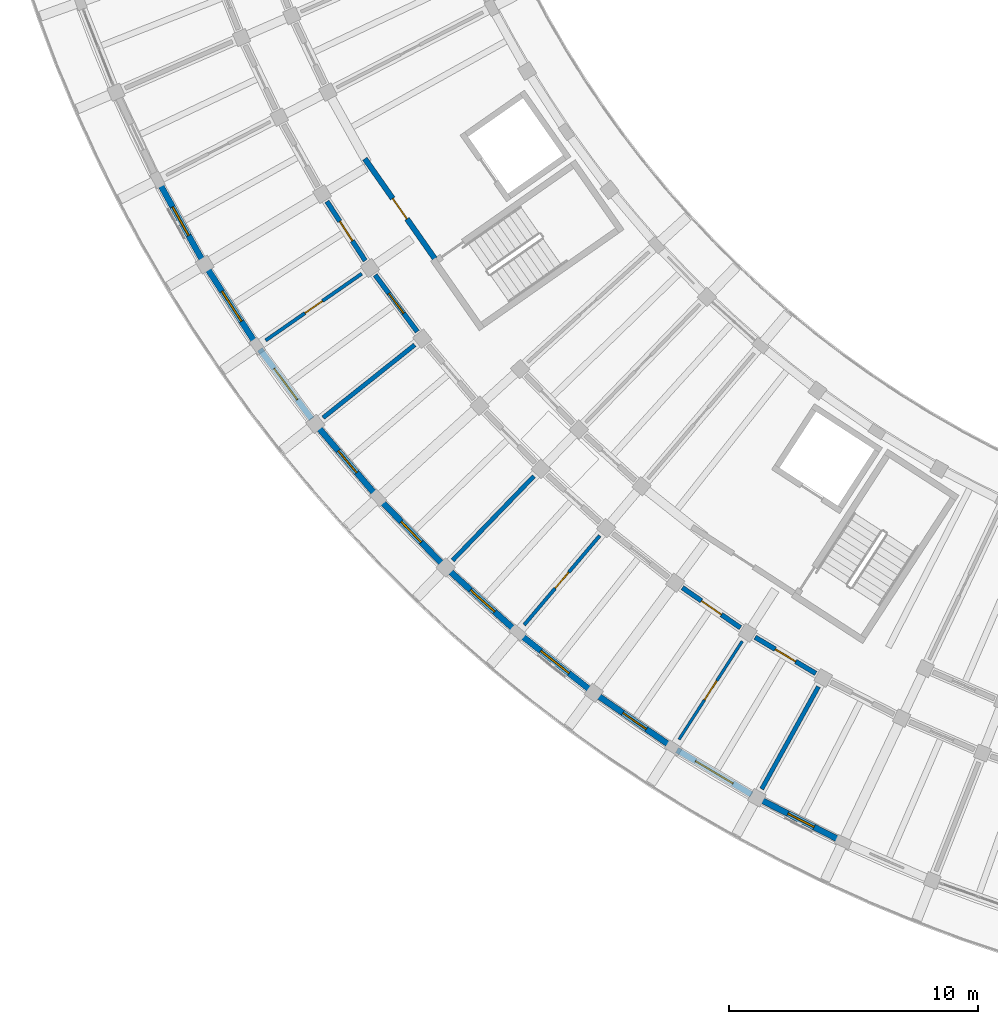
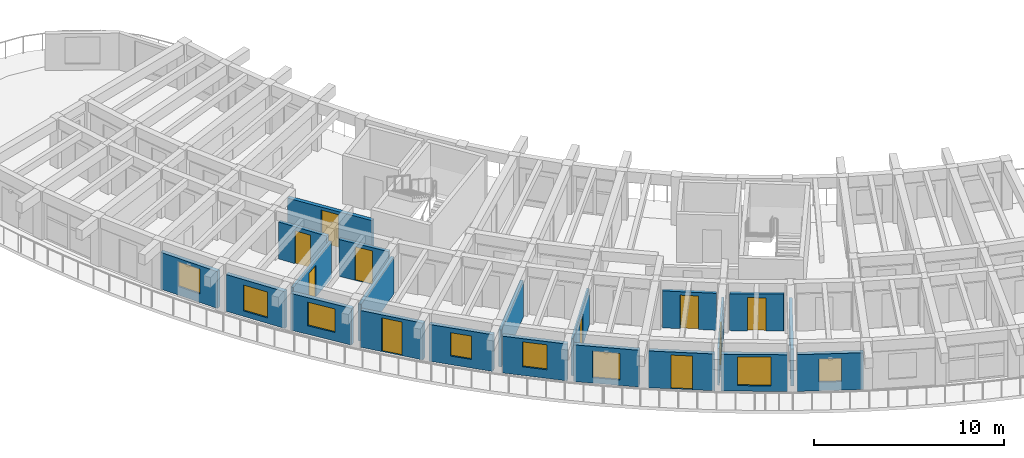
# One storey, part 40 of 81: 21 walls, 10 doors, 8 windows, 18 openings.
"""IFC4 building model written with IfcOpenShell, lengths in metres."""

from ifc_helpers import new_model, si_unit, direction, frame, frame_2d, origin, place, context, subcontext, project, spatial, rectangle, extrude, material, layer, layer_set, type_object, element, fill, save


model = new_model("IFC4")

# Units and contexts
model_context = context("Model", 3, precision=1e-05, world=origin(), true_north=direction((0.0, 1.0)))
body_context = subcontext(model_context, "Body", "Model", "MODEL_VIEW")
ifc_project = project(units=[si_unit("LENGTHUNIT", "METRE"), si_unit("AREAUNIT", "SQUARE_METRE"), si_unit("VOLUMEUNIT", "CUBIC_METRE"), si_unit("PLANEANGLEUNIT", "RADIAN"), si_unit("MASSUNIT", "GRAM", prefix="KILO")], contexts=[model_context])

# Site, building, storey
site_placement = place(None, origin())
site = spatial("IfcSite", under=ifc_project, at=site_placement, CompositionType="ELEMENT")
building_placement = place(site_placement, origin())
building = spatial("IfcBuilding", under=site, at=building_placement, Name="Tanwirah Colonnade Gardens", CompositionType="ELEMENT")
storey_placement = place(building_placement, frame((0.0, 0.0, 18.919921875)))
storey = spatial("IfcBuildingStorey", under=building, at=storey_placement, Name="L05", CompositionType="ELEMENT", Elevation=18.919921875)

# Wall, opening, window
ifc_material_1 = material(Name="Limestone architectural precast concrete C40/50", Category="masonry")
ifc_layer_1 = layer(ifc_material_1, 0.2451171875)
ifc_layer_set_1 = layer_set([ifc_layer_1], Name="Limestone architectural precast concrete C40/50")
wall_type_1 = type_object("IfcWallType", Name="EW-PC245", PredefinedType="SOLIDWALL", material=ifc_layer_set_1)
wall_1_placement = place(storey_placement, frame((12.136962890625, 37.09375, 0.0), z_axis=(0.0, 0.0, 1.0), x_axis=(0.486706738221, -0.87356542455, 0.0)))
wall_1 = element("IfcWall", 1, at=wall_1_placement, inside=storey, type_object=wall_type_1, Name="Block C L05 OUT Precast Facade Wall 3", PredefinedType="SOLIDWALL", context=body_context, shape_type="SweptSolid", body=[
    extrude(rectangle(XDim=3.48681640625, YDim=0.2451171875, at=frame_2d((1.743408203125, 0.0))), origin(), (0.0, 0.0, 1.0), 2.35498046875),
])
opening_1_placement = place(wall_1_placement, frame((1.08349609375, 0.0, 0.550048828125)))
opening_1 = element("IfcOpeningElement", 2, at=opening_1_placement, cuts=wall_1, Name="Opening WIN-U05", PredefinedType="OPENING", context=body_context, shape_type="SweptSolid", body=[
    extrude(rectangle(XDim=1.320068359375, YDim=1.5849609375, at=frame_2d((0.66015625, 0.79248046875))), frame((0.0, 0.132568359375, 0.0), z_axis=(0.0, -1.0, 0.0), x_axis=(1.0, 0.0, 0.0)), (0.0, 0.0, 1.0), 0.26513671875),
])
ifc_material_2 = material(Name="Thermally broken bronze aluminium and solar low-E double glazing", Category="aluminium")
window_type_1 = type_object("IfcWindowType", Name="WIN-U05", PartitioningType="DOUBLE_PANEL_VERTICAL", PredefinedType="WINDOW", material=ifc_material_2)
window_1_placement = place(opening_1_placement, origin())
window_1 = element("IfcWindow", 3, at=window_1_placement, inside=storey, type_object=window_type_1, Name="Facade window C-L05-OUT-03", OverallHeight=1.5849609375, OverallWidth=1.320068359375, PartitioningType="SINGLE_PANEL", PredefinedType="WINDOW", context=body_context, shape_type="SweptSolid", body=[
    extrude(rectangle(XDim=1.320068359375, YDim=1.5849609375, at=frame_2d((0.66015625, 0.79248046875))), frame((0.0, 0.030029296875, 0.0), z_axis=(0.0, -1.0, 0.0), x_axis=(1.0, 0.0, 0.0)), (0.0, 0.0, 1.0), 0.06005859375),
])
fill(opening_1, window_1)

wall_2_placement = place(storey_placement, frame((14.09130859375, 33.61962890625, 0.0), z_axis=(0.0, 0.0, 1.0), x_axis=(0.542833164741, -0.839840553472, 0.0)))
wall_2 = element("IfcWall", 4, at=wall_2_placement, inside=storey, type_object=wall_type_1, Name="Block C L05 OUT Precast Facade Wall 4", PredefinedType="SOLIDWALL", context=body_context, shape_type="SweptSolid", body=[
    extrude(rectangle(XDim=3.48681640625, YDim=0.2451171875, at=frame_2d((1.743408203125, 0.0))), origin(), (0.0, 0.0, 1.0), 2.35498046875),
])
opening_2_placement = place(wall_2_placement, frame((1.0234375, 0.0, 0.35009765625)))
opening_2 = element("IfcOpeningElement", 5, at=opening_2_placement, cuts=wall_2, Name="Opening WIN-U08", PredefinedType="OPENING", context=body_context, shape_type="SweptSolid", body=[
    extrude(rectangle(XDim=1.43994140625, YDim=1.659912109375, at=frame_2d((0.719970703125, 0.830078125))), frame((0.0, 0.132568359375, 0.0), z_axis=(0.0, -1.0, 0.0), x_axis=(1.0, 0.0, 0.0)), (0.0, 0.0, 1.0), 0.26513671875),
])
window_type_2 = type_object("IfcWindowType", Name="WIN-U08", PartitioningType="DOUBLE_PANEL_VERTICAL", PredefinedType="WINDOW", material=ifc_material_2)
window_2_placement = place(opening_2_placement, origin())
window_2 = element("IfcWindow", 6, at=window_2_placement, inside=storey, type_object=window_type_2, Name="Facade window C-L05-OUT-04", OverallHeight=1.659912109375, OverallWidth=1.43994140625, PartitioningType="SINGLE_PANEL", PredefinedType="WINDOW", context=body_context, shape_type="SweptSolid", body=[
    extrude(rectangle(XDim=1.43994140625, YDim=1.659912109375, at=frame_2d((0.719970703125, 0.830078125))), frame((0.0, 0.030029296875, 0.0), z_axis=(0.0, -1.0, 0.0), x_axis=(1.0, 0.0, 0.0)), (0.0, 0.0, 1.0), 0.06005859375),
])
fill(opening_2, window_2)

wall_3_placement = place(storey_placement, frame((16.166259765625, 30.42822265625, 0.0), z_axis=(0.0, 0.0, 1.0), x_axis=(0.596611432616, -0.802530247699, 0.0)))
wall_3 = element("IfcWall", 7, at=wall_3_placement, inside=storey, type_object=wall_type_1, Name="Block C L05 OUT Precast Facade Wall 5", PredefinedType="SOLIDWALL", context=body_context, shape_type="SweptSolid", body=[
    extrude(rectangle(XDim=3.48681640625, YDim=0.2451171875, at=frame_2d((1.743408203125, 0.0))), origin(), (0.0, 0.0, 1.0), 2.35498046875),
])
opening_3_placement = place(wall_3_placement, frame((0.96337890625, 0.0, 0.550048828125)))
opening_3 = element("IfcOpeningElement", 8, at=opening_3_placement, cuts=wall_3, Name="Opening WIN-U11", PredefinedType="OPENING", context=body_context, shape_type="SweptSolid", body=[
    extrude(rectangle(XDim=1.56005859375, YDim=1.510009765625, at=frame_2d((0.780029296875, 0.7548828125))), frame((0.0, 0.132568359375, 0.0), z_axis=(0.0, -1.0, 0.0), x_axis=(1.0, 0.0, 0.0)), (0.0, 0.0, 1.0), 0.26513671875),
])
window_type_3 = type_object("IfcWindowType", Name="WIN-U11", PartitioningType="DOUBLE_PANEL_VERTICAL", PredefinedType="WINDOW", material=ifc_material_2)
window_3_placement = place(opening_3_placement, origin())
window_3 = element("IfcWindow", 9, at=window_3_placement, inside=storey, type_object=window_type_3, Name="Facade window C-L05-OUT-05", OverallHeight=1.510009765625, OverallWidth=1.56005859375, PartitioningType="SINGLE_PANEL", PredefinedType="WINDOW", context=body_context, shape_type="SweptSolid", body=[
    extrude(rectangle(XDim=1.56005859375, YDim=1.510009765625, at=frame_2d((0.780029296875, 0.7548828125))), frame((0.0, 0.030029296875, 0.0), z_axis=(0.0, -1.0, 0.0), x_axis=(1.0, 0.0, 0.0)), (0.0, 0.0, 1.0), 0.06005859375),
])
fill(opening_3, window_3)

# Wall, opening, door
wall_4_placement = place(storey_placement, frame((18.5576171875, 27.23876953125, 0.0), z_axis=(0.0, 0.0, 1.0), x_axis=(0.647811002696, -0.761801092665, 0.0)))
wall_4 = element("IfcWall", 10, at=wall_4_placement, inside=storey, type_object=wall_type_1, Name="Block C L05 OUT Precast Facade Wall 6", PredefinedType="SOLIDWALL", context=body_context, shape_type="SweptSolid", body=[
    extrude(rectangle(XDim=3.48681640625, YDim=0.2451171875, at=frame_2d((1.743408203125, 0.0))), origin(), (0.0, 0.0, 1.0), 2.35498046875),
])
opening_4_placement = place(wall_4_placement, frame((1.17333984375, 0.0, 0.0)))
opening_4 = element("IfcOpeningElement", 11, at=opening_4_placement, cuts=wall_4, Name="Opening L05-ED151", PredefinedType="OPENING", context=body_context, shape_type="SweptSolid", body=[
    extrude(rectangle(XDim=1.139892578125, YDim=2.159912109375, at=frame_2d((0.56982421875, 1.080078125))), frame((0.0, 0.132568359375, 0.0), z_axis=(0.0, -1.0, 0.0), x_axis=(1.0, 0.0, 0.0)), (0.0, 0.0, 1.0), 0.26513671875),
])
ifc_material_3 = material(Name="Bronze aluminium glazed balcony door", Category="aluminium")
door_type_1 = type_object("IfcDoorType", Name="ED-BAL114", OperationType="NOTDEFINED", PredefinedType="DOOR", material=ifc_material_3)
door_1_placement = place(opening_4_placement, origin())
door_1 = element("IfcDoor", 12, at=door_1_placement, inside=storey, type_object=door_type_1, Name="Balcony glazed door L05-ED151", OperationType="SINGLE_SWING_RIGHT", OverallHeight=2.159912109375, OverallWidth=1.139892578125, PredefinedType="DOOR", context=body_context, shape_type="SweptSolid", body=[
    extrude(rectangle(XDim=1.139892578125, YDim=2.159912109375, at=frame_2d((0.56982421875, 1.080078125))), frame((0.0, 0.02490234375, 0.0), z_axis=(0.0, -1.0, 0.0), x_axis=(1.0, 0.0, 0.0)), (0.0, 0.0, 1.0), 0.050048828125),
])
fill(opening_4, door_1)

# Wall, opening, window
wall_5_placement = place(storey_placement, frame((21.031494140625, 24.345703125, 0.0), z_axis=(0.0, 0.0, 1.0), x_axis=(0.696205978342, -0.717842068788, 0.0)))
wall_5 = element("IfcWall", 13, at=wall_5_placement, inside=storey, type_object=wall_type_1, Name="Block C L05 OUT Precast Facade Wall 7", PredefinedType="SOLIDWALL", context=body_context, shape_type="SweptSolid", body=[
    extrude(rectangle(XDim=3.48681640625, YDim=0.2451171875, at=frame_2d((1.743408203125, 0.0))), origin(), (0.0, 0.0, 1.0), 2.35498046875),
])
opening_5_placement = place(wall_5_placement, frame((1.16845703125, 0.0, 0.550048828125)))
opening_5 = element("IfcOpeningElement", 14, at=opening_5_placement, cuts=wall_5, Name="Opening WIN-T01", PredefinedType="OPENING", context=body_context, shape_type="SweptSolid", body=[
    extrude(rectangle(XDim=1.14990234375, YDim=1.5, at=frame_2d((0.574951171875, 0.75))), frame((0.0, 0.132568359375, 0.0), z_axis=(0.0, -1.0, 0.0), x_axis=(1.0, 0.0, 0.0)), (0.0, 0.0, 1.0), 0.26513671875),
])
window_type_4 = type_object("IfcWindowType", Name="WIN-T01", PartitioningType="SINGLE_PANEL", PredefinedType="WINDOW", material=ifc_material_2)
window_4_placement = place(opening_5_placement, origin())
window_4 = element("IfcWindow", 15, at=window_4_placement, inside=storey, type_object=window_type_4, Name="Facade window C-L05-OUT-07", OverallHeight=1.5, OverallWidth=1.14990234375, PartitioningType="SINGLE_PANEL", PredefinedType="WINDOW", context=body_context, shape_type="SweptSolid", body=[
    extrude(rectangle(XDim=1.14990234375, YDim=1.5, at=frame_2d((0.574951171875, 0.75))), frame((0.0, 0.030029296875, 0.0), z_axis=(0.0, -1.0, 0.0), x_axis=(1.0, 0.0, 0.0)), (0.0, 0.0, 1.0), 0.06005859375),
])
fill(opening_5, window_4)

wall_6_placement = place(storey_placement, frame((23.818603515625, 21.49560546875, 0.0), z_axis=(0.0, 0.0, 1.0), x_axis=(0.741648568445, -0.670788641022, 0.0)))
wall_6 = element("IfcWall", 16, at=wall_6_placement, inside=storey, type_object=wall_type_1, Name="Block C L05 OUT Precast Facade Wall 8", PredefinedType="SOLIDWALL", context=body_context, shape_type="SweptSolid", body=[
    extrude(rectangle(XDim=3.48681640625, YDim=0.2451171875, at=frame_2d((1.743408203125, 0.0))), origin(), (0.0, 0.0, 1.0), 2.35498046875),
])
opening_6_placement = place(wall_6_placement, frame((1.093505859375, 0.0, 0.550048828125)))
opening_6 = element("IfcOpeningElement", 17, at=opening_6_placement, cuts=wall_6, Name="Opening WIN-T04", PredefinedType="OPENING", context=body_context, shape_type="SweptSolid", body=[
    extrude(rectangle(XDim=1.300048828125, YDim=1.60009765625, at=frame_2d((0.64990234375, 0.800048828125))), frame((0.0, 0.132568359375, 0.0), z_axis=(0.0, -1.0, 0.0), x_axis=(1.0, 0.0, 0.0)), (0.0, 0.0, 1.0), 0.26513671875),
])
window_type_5 = type_object("IfcWindowType", Name="WIN-T04", PartitioningType="DOUBLE_PANEL_VERTICAL", PredefinedType="WINDOW", material=ifc_material_2)
window_5_placement = place(opening_6_placement, origin())
window_5 = element("IfcWindow", 18, at=window_5_placement, inside=storey, type_object=window_type_5, Name="Facade window C-L05-OUT-08", OverallHeight=1.60009765625, OverallWidth=1.300048828125, PartitioningType="SINGLE_PANEL", PredefinedType="WINDOW", context=body_context, shape_type="SweptSolid", body=[
    extrude(rectangle(XDim=1.300048828125, YDim=1.60009765625, at=frame_2d((0.64990234375, 0.800048828125))), frame((0.0, 0.030029296875, 0.0), z_axis=(0.0, -1.0, 0.0), x_axis=(1.0, 0.0, 0.0)), (0.0, 0.0, 1.0), 0.06005859375),
])
fill(opening_6, window_5)

wall_7_placement = place(storey_placement, frame((26.648681640625, 18.9501953125, 0.0), z_axis=(0.0, 0.0, 1.0), x_axis=(0.78398760997, -0.620776471376, 0.0)))
wall_7 = element("IfcWall", 19, at=wall_7_placement, inside=storey, type_object=wall_type_1, Name="Block C L05 OUT Precast Facade Wall 9", PredefinedType="SOLIDWALL", context=body_context, shape_type="SweptSolid", body=[
    extrude(rectangle(XDim=3.48681640625, YDim=0.2451171875, at=frame_2d((1.743408203125, 0.0))), origin(), (0.0, 0.0, 1.0), 2.35498046875),
])
opening_7_placement = place(wall_7_placement, frame((1.018310546875, 0.0, 0.35009765625)))
opening_7 = element("IfcOpeningElement", 20, at=opening_7_placement, cuts=wall_7, Name="Opening WIN-T07", PredefinedType="OPENING", context=body_context, shape_type="SweptSolid", body=[
    extrude(rectangle(XDim=1.449951171875, YDim=1.699951171875, at=frame_2d((0.72509765625, 0.85009765625))), frame((0.0, 0.132568359375, 0.0), z_axis=(0.0, -1.0, 0.0), x_axis=(1.0, 0.0, 0.0)), (0.0, 0.0, 1.0), 0.26513671875),
])
window_type_6 = type_object("IfcWindowType", Name="WIN-T07", PartitioningType="DOUBLE_PANEL_VERTICAL", PredefinedType="WINDOW", material=ifc_material_2)
window_6_placement = place(opening_7_placement, origin())
window_6 = element("IfcWindow", 21, at=window_6_placement, inside=storey, type_object=window_type_6, Name="Facade window C-L05-OUT-09", OverallHeight=1.699951171875, OverallWidth=1.449951171875, PartitioningType="SINGLE_PANEL", PredefinedType="WINDOW", context=body_context, shape_type="SweptSolid", body=[
    extrude(rectangle(XDim=1.449951171875, YDim=1.699951171875, at=frame_2d((0.72509765625, 0.85009765625))), frame((0.0, 0.030029296875, 0.0), z_axis=(0.0, -1.0, 0.0), x_axis=(1.0, 0.0, 0.0)), (0.0, 0.0, 1.0), 0.06005859375),
])
fill(opening_7, window_6)

# Wall, opening, door
wall_8_placement = place(storey_placement, frame((29.783935546875, 16.48828125, 0.0), z_axis=(0.0, 0.0, 1.0), x_axis=(0.822902356734, -0.568182815017, 0.0)))
wall_8 = element("IfcWall", 22, at=wall_8_placement, inside=storey, type_object=wall_type_1, Name="Block C L05 OUT Precast Facade Wall 10", PredefinedType="SOLIDWALL", context=body_context, shape_type="SweptSolid", body=[
    extrude(rectangle(XDim=3.48681640625, YDim=0.2451171875, at=frame_2d((1.743408203125, 0.0))), origin(), (0.0, 0.0, 1.0), 2.35498046875),
])
opening_8_placement = place(wall_8_placement, frame((1.17333984375, 0.0, 0.0)))
opening_8 = element("IfcOpeningElement", 23, at=opening_8_placement, cuts=wall_8, Name="Opening L05-ED152", PredefinedType="OPENING", context=body_context, shape_type="SweptSolid", body=[
    extrude(rectangle(XDim=1.139892578125, YDim=2.159912109375, at=frame_2d((0.56982421875, 1.080078125))), frame((0.0, 0.132568359375, 0.0), z_axis=(0.0, -1.0, 0.0), x_axis=(1.0, 0.0, 0.0)), (0.0, 0.0, 1.0), 0.26513671875),
])
door_2_placement = place(opening_8_placement, origin())
door_2 = element("IfcDoor", 24, at=door_2_placement, inside=storey, type_object=door_type_1, Name="Balcony glazed door L05-ED152", OperationType="SINGLE_SWING_RIGHT", OverallHeight=2.159912109375, OverallWidth=1.139892578125, PredefinedType="DOOR", context=body_context, shape_type="SweptSolid", body=[
    extrude(rectangle(XDim=1.139892578125, YDim=2.159912109375, at=frame_2d((0.56982421875, 1.080078125))), frame((0.0, 0.02490234375, 0.0), z_axis=(0.0, -1.0, 0.0), x_axis=(1.0, 0.0, 0.0)), (0.0, 0.0, 1.0), 0.050048828125),
])
fill(opening_8, door_2)

# Wall, opening, window
wall_9_placement = place(storey_placement, frame((32.92236328125, 14.333984375, 0.0), z_axis=(0.0, 0.0, 1.0), x_axis=(0.858288874148, -0.513166842766, 0.0)))
wall_9 = element("IfcWall", 25, at=wall_9_placement, inside=storey, type_object=wall_type_1, Name="Block C L05 OUT Precast Facade Wall 11", PredefinedType="SOLIDWALL", context=body_context, shape_type="SweptSolid", body=[
    extrude(rectangle(XDim=3.48681640625, YDim=0.2451171875, at=frame_2d((1.743408203125, 0.0))), origin(), (0.0, 0.0, 1.0), 2.35498046875),
])
opening_9_placement = place(wall_9_placement, frame((0.868408203125, 0.0, 0.35009765625)))
opening_9 = element("IfcOpeningElement", 26, at=opening_9_placement, cuts=wall_9, Name="Opening WIN-T13", PredefinedType="OPENING", context=body_context, shape_type="SweptSolid", body=[
    extrude(rectangle(XDim=1.75, YDim=1.85009765625, at=frame_2d((0.875, 0.925048828125))), frame((0.0, 0.132568359375, 0.0), z_axis=(0.0, -1.0, 0.0), x_axis=(1.0, 0.0, 0.0)), (0.0, 0.0, 1.0), 0.26513671875),
])
window_type_7 = type_object("IfcWindowType", Name="WIN-T13", PartitioningType="TRIPLE_PANEL_VERTICAL", PredefinedType="WINDOW", material=ifc_material_2)
window_7_placement = place(opening_9_placement, origin())
window_7 = element("IfcWindow", 27, at=window_7_placement, inside=storey, type_object=window_type_7, Name="Facade window C-L05-OUT-11", OverallHeight=1.85009765625, OverallWidth=1.75, PartitioningType="SINGLE_PANEL", PredefinedType="WINDOW", context=body_context, shape_type="SweptSolid", body=[
    extrude(rectangle(XDim=1.75, YDim=1.85009765625, at=frame_2d((0.875, 0.925048828125))), frame((0.0, 0.030029296875, 0.0), z_axis=(0.0, -1.0, 0.0), x_axis=(1.0, 0.0, 0.0)), (0.0, 0.0, 1.0), 0.06005859375),
])
fill(opening_9, window_7)

wall_10_placement = place(storey_placement, frame((36.35205078125, 12.302490234375, 0.0), z_axis=(0.0, 0.0, 1.0), x_axis=(0.890001092753, -0.45595839163, 0.0)))
wall_10 = element("IfcWall", 28, at=wall_10_placement, inside=storey, type_object=wall_type_1, Name="Block C L05 OUT Precast Facade Wall 12", PredefinedType="SOLIDWALL", context=body_context, shape_type="SweptSolid", body=[
    extrude(rectangle(XDim=3.48681640625, YDim=0.2451171875, at=frame_2d((1.743408203125, 0.0))), origin(), (0.0, 0.0, 1.0), 2.35498046875),
])
opening_10_placement = place(wall_10_placement, frame((1.1533203125, 0.0, 0.550048828125)))
opening_10 = element("IfcOpeningElement", 29, at=opening_10_placement, cuts=wall_10, Name="Opening WIN-T16", PredefinedType="OPENING", context=body_context, shape_type="SweptSolid", body=[
    extrude(rectangle(XDim=1.179931640625, YDim=1.47998046875, at=frame_2d((0.58984375, 0.739990234375))), frame((0.0, 0.132568359375, 0.0), z_axis=(0.0, -1.0, 0.0), x_axis=(1.0, 0.0, 0.0)), (0.0, 0.0, 1.0), 0.26513671875),
])
window_type_8 = type_object("IfcWindowType", Name="WIN-T16", PartitioningType="SINGLE_PANEL", PredefinedType="WINDOW", material=ifc_material_2)
window_8_placement = place(opening_10_placement, origin())
window_8 = element("IfcWindow", 30, at=window_8_placement, inside=storey, type_object=window_type_8, Name="Facade window C-L05-OUT-12", OverallHeight=1.47998046875, OverallWidth=1.179931640625, PartitioningType="SINGLE_PANEL", PredefinedType="WINDOW", context=body_context, shape_type="SweptSolid", body=[
    extrude(rectangle(XDim=1.179931640625, YDim=1.47998046875, at=frame_2d((0.58984375, 0.739990234375))), frame((0.0, 0.030029296875, 0.0), z_axis=(0.0, -1.0, 0.0), x_axis=(1.0, 0.0, 0.0)), (0.0, 0.0, 1.0), 0.06005859375),
])
fill(opening_10, window_8)

# Wall, opening, door
ifc_material_4 = material(Name="Precast concrete C40/50", Category="concrete")
ifc_layer_2 = layer(ifc_material_4, 0.195068359375)
ifc_layer_set_2 = layer_set([ifc_layer_2], Name="Precast concrete C40/50")
wall_type_2 = type_object("IfcWallType", Name="IW-CORR195", PredefinedType="PARTITIONING", material=ifc_layer_set_2)
wall_11_placement = place(storey_placement, frame((18.860107421875, 36.3681640625, 0.0), z_axis=(0.0, 0.0, 1.0), x_axis=(0.542787304957, -0.83987019329, 0.0)))
wall_11 = element("IfcWall", 31, at=wall_11_placement, inside=storey, type_object=wall_type_2, Name="Block C L05 OUT Corridor Wall 4", PredefinedType="PARTITIONING", context=body_context, shape_type="SweptSolid", body=[
    extrude(rectangle(XDim=2.8369140625, YDim=0.195068359375, at=frame_2d((1.41845703125, 0.0))), origin(), (0.0, 0.0, 1.0), 2.3701171875),
])
opening_11_placement = place(wall_11_placement, frame((0.95361328125, 0.0, 0.0)))
opening_11 = element("IfcOpeningElement", 32, at=opening_11_placement, cuts=wall_11, Name="Opening L05-AD1477", PredefinedType="OPENING", context=body_context, shape_type="SweptSolid", body=[
    extrude(rectangle(XDim=0.929931640625, YDim=2.1201171875, at=frame_2d((0.46484375, 1.06005859375))), frame((0.0, 0.107421875, 0.0), z_axis=(0.0, -1.0, 0.0), x_axis=(1.0, 0.0, 0.0)), (0.0, 0.0, 1.0), 0.215087890625),
])
ifc_material_5 = material(Name="Solid oak fire-resisting apartment entrance door")
door_type_2 = type_object("IfcDoorType", Name="ID-FLT093", OperationType="NOTDEFINED", PredefinedType="DOOR", material=ifc_material_5)
door_3_placement = place(opening_11_placement, origin())
door_3 = element("IfcDoor", 33, at=door_3_placement, inside=storey, type_object=door_type_2, Name="Apartment corridor door L05-AD1477", OperationType="SINGLE_SWING_RIGHT", OverallHeight=2.1201171875, OverallWidth=0.929931640625, PredefinedType="DOOR", context=body_context, shape_type="SweptSolid", body=[
    extrude(rectangle(XDim=0.929931640625, YDim=2.1201171875, at=frame_2d((0.46484375, 1.06005859375))), frame((0.0, 0.02490234375, 0.0), z_axis=(0.0, -1.0, 0.0), x_axis=(1.0, 0.0, 0.0)), (0.0, 0.0, 1.0), 0.050048828125),
])
fill(opening_11, door_3)

wall_12_placement = place(storey_placement, frame((20.798828125, 33.410888671875, 0.0), z_axis=(0.0, 0.0, 1.0), x_axis=(0.596552136601, -0.802574325727, 0.0)))
wall_12 = element("IfcWall", 34, at=wall_12_placement, inside=storey, type_object=wall_type_2, Name="Block C L05 OUT Corridor Wall 5", PredefinedType="PARTITIONING", context=body_context, shape_type="SweptSolid", body=[
    extrude(rectangle(XDim=2.8369140625, YDim=0.195068359375, at=frame_2d((1.41845703125, 0.0))), origin(), (0.0, 0.0, 1.0), 2.3701171875),
])
opening_12_placement = place(wall_12_placement, frame((0.923583984375, 0.0, 0.0)))
opening_12 = element("IfcOpeningElement", 35, at=opening_12_placement, cuts=wall_12, Name="Opening L05-AD1479", PredefinedType="OPENING", context=body_context, shape_type="SweptSolid", body=[
    extrude(rectangle(XDim=0.989990234375, YDim=2.159912109375, at=frame_2d((0.4951171875, 1.080078125))), frame((0.0, 0.107421875, 0.0), z_axis=(0.0, -1.0, 0.0), x_axis=(1.0, 0.0, 0.0)), (0.0, 0.0, 1.0), 0.215087890625),
])
door_type_3 = type_object("IfcDoorType", Name="ID-FLT099", OperationType="NOTDEFINED", PredefinedType="DOOR", material=ifc_material_5)
door_4_placement = place(opening_12_placement, origin())
door_4 = element("IfcDoor", 36, at=door_4_placement, inside=storey, type_object=door_type_3, Name="Apartment corridor door L05-AD1479", OperationType="SINGLE_SWING_LEFT", OverallHeight=2.159912109375, OverallWidth=0.989990234375, PredefinedType="DOOR", context=body_context, shape_type="SweptSolid", body=[
    extrude(rectangle(XDim=0.989990234375, YDim=2.159912109375, at=frame_2d((0.4951171875, 1.080078125))), frame((0.0, 0.02490234375, 0.0), z_axis=(0.0, -1.0, 0.0), x_axis=(1.0, 0.0, 0.0)), (0.0, 0.0, 1.0), 0.050048828125),
])
fill(opening_12, door_4)

wall_13_placement = place(storey_placement, frame((33.137939453125, 20.852783203125, 0.0), z_axis=(0.0, 0.0, 1.0), x_axis=(0.822870075235, -0.568229565653, 0.0)))
wall_13 = element("IfcWall", 37, at=wall_13_placement, inside=storey, type_object=wall_type_2, Name="Block C L05 OUT Corridor Wall 10", PredefinedType="PARTITIONING", context=body_context, shape_type="SweptSolid", body=[
    extrude(rectangle(XDim=2.8369140625, YDim=0.195068359375, at=frame_2d((1.41845703125, 0.0))), origin(), (0.0, 0.0, 1.0), 2.3701171875),
])
opening_13_placement = place(wall_13_placement, frame((0.93359375, 0.0, 0.0)))
opening_13 = element("IfcOpeningElement", 38, at=opening_13_placement, cuts=wall_13, Name="Opening L05-AD1490", PredefinedType="OPENING", context=body_context, shape_type="SweptSolid", body=[
    extrude(rectangle(XDim=0.969970703125, YDim=2.14990234375, at=frame_2d((0.48486328125, 1.074951171875))), frame((0.0, 0.107421875, 0.0), z_axis=(0.0, -1.0, 0.0), x_axis=(1.0, 0.0, 0.0)), (0.0, 0.0, 1.0), 0.215087890625),
])
door_type_4 = type_object("IfcDoorType", Name="ID-FLT097", OperationType="NOTDEFINED", PredefinedType="DOOR", material=ifc_material_5)
door_5_placement = place(opening_13_placement, origin())
door_5 = element("IfcDoor", 39, at=door_5_placement, inside=storey, type_object=door_type_4, Name="Apartment corridor door L05-AD1490", OperationType="SINGLE_SWING_RIGHT", OverallHeight=2.14990234375, OverallWidth=0.969970703125, PredefinedType="DOOR", context=body_context, shape_type="SweptSolid", body=[
    extrude(rectangle(XDim=0.969970703125, YDim=2.14990234375, at=frame_2d((0.48486328125, 1.074951171875))), frame((0.0, 0.02490234375, 0.0), z_axis=(0.0, -1.0, 0.0), x_axis=(1.0, 0.0, 0.0)), (0.0, 0.0, 1.0), 0.050048828125),
])
fill(opening_13, door_5)

wall_14_placement = place(storey_placement, frame((36.060791015625, 18.8623046875, 0.0), z_axis=(0.0, 0.0, 1.0), x_axis=(0.858281647443, -0.51317892948, 0.0)))
wall_14 = element("IfcWall", 40, at=wall_14_placement, inside=storey, type_object=wall_type_2, Name="Block C L05 OUT Corridor Wall 11", PredefinedType="PARTITIONING", context=body_context, shape_type="SweptSolid", body=[
    extrude(rectangle(XDim=2.8369140625, YDim=0.195068359375, at=frame_2d((1.41845703125, 0.0))), origin(), (0.0, 0.0, 1.0), 2.3701171875),
])
opening_14_placement = place(wall_14_placement, frame((0.943603515625, 0.0, 0.0)))
opening_14 = element("IfcOpeningElement", 41, at=opening_14_placement, cuts=wall_14, Name="Opening L05-AD1492", PredefinedType="OPENING", context=body_context, shape_type="SweptSolid", body=[
    extrude(rectangle(XDim=0.949951171875, YDim=2.1298828125, at=frame_2d((0.47509765625, 1.06494140625))), frame((0.0, 0.107421875, 0.0), z_axis=(0.0, -1.0, 0.0), x_axis=(1.0, 0.0, 0.0)), (0.0, 0.0, 1.0), 0.215087890625),
])
door_type_5 = type_object("IfcDoorType", Name="ID-FLT095", OperationType="NOTDEFINED", PredefinedType="DOOR", material=ifc_material_5)
door_6_placement = place(opening_14_placement, origin())
door_6 = element("IfcDoor", 42, at=door_6_placement, inside=storey, type_object=door_type_5, Name="Apartment corridor door L05-AD1492", OperationType="SINGLE_SWING_LEFT", OverallHeight=2.1298828125, OverallWidth=0.949951171875, PredefinedType="DOOR", context=body_context, shape_type="SweptSolid", body=[
    extrude(rectangle(XDim=0.949951171875, YDim=2.1298828125, at=frame_2d((0.47509765625, 1.06494140625))), frame((0.0, 0.02490234375, 0.0), z_axis=(0.0, -1.0, 0.0), x_axis=(1.0, 0.0, 0.0)), (0.0, 0.0, 1.0), 0.050048828125),
])
fill(opening_14, door_6)

# Walls
ifc_layer_3 = layer(ifc_material_4, 0.175048828125)
ifc_layer_set_3 = layer_set([ifc_layer_3], Name="Precast concrete C40/50")
wall_type_3 = type_object("IfcWallType", Name="IW-DEM175", PredefinedType="PARTITIONING", material=ifc_layer_set_3)
for number, where, z_axis, x_axis, name in (
    (43, (22.386962890625, 30.60400390625, 0.0), (0.0, 0.0, 1.0), (-0.782609106384, -0.622513442911, 0.0), "Block C L05 Radial Partition 5"),
    (44, (27.17578125, 25.33203125, 0.0), (0.0, 0.0, 1.0), (-0.69466218314, -0.719336118456, 0.0), "Block C L05 Radial Partition 7"),
    (45, (38.60205078125, 16.876953125, 0.0), (0.0, 0.0, 1.0), (-0.484813534336, -0.874617537513, 0.0), "Block C L05 Radial Partition 11"),
):
    element("IfcWall", number, at=place(storey_placement, frame(where, z_axis=z_axis, x_axis=x_axis)), inside=storey, type_object=wall_type_3, Name=name, PredefinedType="PARTITIONING", context=body_context, shape_type="SweptSolid", body=[
        extrude(rectangle(XDim=4.699951171875, YDim=0.175048828125, at=frame_2d((2.35009765625, 0.0))), origin(), (0.0, 0.0, 1.0), 2.3701171875),
    ])

# Wall, opening, door
ifc_material_6 = material(Name="Autoclaved aerated masonry blockwork", Category="masonry")
ifc_layer_4 = layer(ifc_material_6, 0.219970703125)
ifc_layer_set_4 = layer_set([ifc_layer_4], Name="Autoclaved aerated masonry blockwork")
wall_type_4 = type_object("IfcWallType", Name="IW-FFL220", PredefinedType="PARTITIONING", material=ifc_layer_set_4)
wall_15_placement = place(storey_placement, frame((23.19482421875, 34.06787109375, 0.0), z_axis=(0.0, 0.0, 1.0), x_axis=(-0.573572687386, 0.819154669329, 0.0)))
wall_15 = element("IfcWall", 46, at=wall_15_placement, inside=storey, type_object=wall_type_4, Name="CORE-C1 L05 Enclosed Lobby Fire Wall", PredefinedType="PARTITIONING", context=body_context, shape_type="SweptSolid", body=[
    extrude(rectangle(XDim=4.900146484375, YDim=0.219970703125, at=frame_2d((2.4501953125, 0.0))), origin(), (0.0, 0.0, 1.0), 2.340087890625),
])
opening_15_placement = place(wall_15_placement, frame((1.949951171875, 0.0, 0.0)))
opening_15 = element("IfcOpeningElement", 47, at=opening_15_placement, cuts=wall_15, Name="Opening L05-LD139", PredefinedType="OPENING", context=body_context, shape_type="SweptSolid", body=[
    extrude(rectangle(XDim=1.0, YDim=2.14990234375, at=frame_2d((0.5, 1.074951171875))), frame((0.0, 0.119873046875, 0.0), z_axis=(0.0, -1.0, 0.0), x_axis=(1.0, 0.0, 0.0)), (0.0, 0.0, 1.0), 0.239990234375),
])
ifc_material_7 = material(Name="Acoustic fire-resisting lobby door")
door_type_6 = type_object("IfcDoorType", Name="ID-FFL100", OperationType="NOTDEFINED", PredefinedType="DOOR", material=ifc_material_7)
door_7_placement = place(opening_15_placement, origin())
door_7 = element("IfcDoor", 48, at=door_7_placement, inside=storey, type_object=door_type_6, Name="CORE-C1 L05 Lobby Fire Door L05-LD139", OperationType="SINGLE_SWING_RIGHT", OverallHeight=2.14990234375, OverallWidth=1.0, PredefinedType="DOOR", context=body_context, shape_type="SweptSolid", body=[
    extrude(rectangle(XDim=1.0, YDim=2.14990234375, at=frame_2d((0.5, 1.074951171875))), frame((0.0, 0.02490234375, 0.0), z_axis=(0.0, -1.0, 0.0), x_axis=(1.0, 0.0, 0.0)), (0.0, 0.0, 1.0), 0.050048828125),
])
fill(opening_15, door_7)

ifc_material_8 = material(Name="Acoustic gypsum stud partition")
ifc_layer_5 = layer(ifc_material_8, 0.114990234375)
ifc_layer_set_5 = layer_set([ifc_layer_5], Name="Acoustic gypsum stud partition")
wall_type_5 = type_object("IfcWallType", Name="IW-INT115", PredefinedType="PARTITIONING", material=ifc_layer_set_5)
wall_16_placement = place(storey_placement, frame((35.5439453125, 18.705322265625, 0.0), z_axis=(0.0, 0.0, 1.0), x_axis=(-0.540959731567, -0.84104849374, 0.0)))
wall_16 = element("IfcWall", 49, at=wall_16_placement, inside=storey, type_object=wall_type_5, Name="Block C L05 Radial Partition 10", PredefinedType="PARTITIONING", context=body_context, shape_type="SweptSolid", body=[
    extrude(rectangle(XDim=4.699951171875, YDim=0.114990234375, at=frame_2d((2.35009765625, 0.0))), origin(), (0.0, 0.0, 1.0), 2.3701171875),
])
opening_16_placement = place(wall_16_placement, frame((1.89501953125, 0.0, 0.0)))
opening_16 = element("IfcOpeningElement", 50, at=opening_16_placement, cuts=wall_16, Name="Opening L05-RD1491", PredefinedType="OPENING", context=body_context, shape_type="SweptSolid", body=[
    extrude(rectangle(XDim=0.909912109375, YDim=2.10009765625, at=frame_2d((0.455078125, 1.050048828125))), frame((0.0, 0.0673828125, 0.0), z_axis=(0.0, -1.0, 0.0), x_axis=(1.0, 0.0, 0.0)), (0.0, 0.0, 1.0), 0.135009765625),
])
ifc_material_9 = material(Name="Painted hardwood internal room door", Category="wood")
door_type_7 = type_object("IfcDoorType", Name="ID-RM091", OperationType="NOTDEFINED", PredefinedType="DOOR", material=ifc_material_9)
door_8_placement = place(opening_16_placement, origin())
door_8 = element("IfcDoor", 51, at=door_8_placement, inside=storey, type_object=door_type_7, Name="Internal apartment door L05-RD1491", OperationType="SINGLE_SWING_RIGHT", OverallHeight=2.10009765625, OverallWidth=0.909912109375, PredefinedType="DOOR", context=body_context, shape_type="SweptSolid", body=[
    extrude(rectangle(XDim=0.909912109375, YDim=2.10009765625, at=frame_2d((0.455078125, 1.050048828125))), frame((0.0, 0.02490234375, 0.0), z_axis=(0.0, -1.0, 0.0), x_axis=(1.0, 0.0, 0.0)), (0.0, 0.0, 1.0), 0.050048828125),
])
fill(opening_16, door_8)

ifc_material_10 = material(Name="Water-resistant acoustic plumbing partition")
ifc_layer_6 = layer(ifc_material_10, 0.139892578125)
ifc_layer_set_6 = layer_set([ifc_layer_6], Name="Water-resistant acoustic plumbing partition")
wall_type_6 = type_object("IfcWallType", Name="IW-WET140", PredefinedType="PLUMBINGWALL", material=ifc_layer_set_6)
wall_17_placement = place(storey_placement, frame((20.26123046875, 33.463623046875, 0.0), z_axis=(0.0, 0.0, 1.0), x_axis=(-0.821638260647, -0.570009270663, 0.0)))
wall_17 = element("IfcWall", 52, at=wall_17_placement, inside=storey, type_object=wall_type_6, Name="Block C L05 Radial Partition 4", PredefinedType="PLUMBINGWALL", context=body_context, shape_type="SweptSolid", body=[
    extrude(rectangle(XDim=4.699951171875, YDim=0.139892578125, at=frame_2d((2.35009765625, 0.0))), origin(), (0.0, 0.0, 1.0), 2.3701171875),
])
opening_17_placement = place(wall_17_placement, frame((1.925048828125, 0.0, 0.0)))
opening_17 = element("IfcOpeningElement", 53, at=opening_17_placement, cuts=wall_17, Name="Opening L05-RD1478", PredefinedType="OPENING", context=body_context, shape_type="SweptSolid", body=[
    extrude(rectangle(XDim=0.85009765625, YDim=2.050048828125, at=frame_2d((0.425048828125, 1.02490234375))), frame((0.0, 0.079833984375, 0.0), z_axis=(0.0, -1.0, 0.0), x_axis=(1.0, 0.0, 0.0)), (0.0, 0.0, 1.0), 0.159912109375),
])
ifc_material_11 = material(Name="Moisture-resistant en-suite door")
door_type_8 = type_object("IfcDoorType", Name="ID-WET085", OperationType="NOTDEFINED", PredefinedType="DOOR", material=ifc_material_11)
door_9_placement = place(opening_17_placement, origin())
door_9 = element("IfcDoor", 54, at=door_9_placement, inside=storey, type_object=door_type_8, Name="Internal apartment door L05-RD1478", OperationType="SINGLE_SWING_RIGHT", OverallHeight=2.050048828125, OverallWidth=0.85009765625, PredefinedType="DOOR", context=body_context, shape_type="SweptSolid", body=[
    extrude(rectangle(XDim=0.85009765625, YDim=2.050048828125, at=frame_2d((0.425048828125, 1.02490234375))), frame((0.0, 0.02490234375, 0.0), z_axis=(0.0, -1.0, 0.0), x_axis=(1.0, 0.0, 0.0)), (0.0, 0.0, 1.0), 0.050048828125),
])
fill(opening_17, door_9)

wall_18_placement = place(storey_placement, frame((29.818603515625, 22.94189453125, 0.0), z_axis=(0.0, 0.0, 1.0), x_axis=(-0.646137818229, -0.76322075434, 0.0)))
wall_18 = element("IfcWall", 55, at=wall_18_placement, inside=storey, type_object=wall_type_6, Name="Block C L05 Radial Partition 8", PredefinedType="PLUMBINGWALL", context=body_context, shape_type="SweptSolid", body=[
    extrude(rectangle(XDim=4.699951171875, YDim=0.139892578125, at=frame_2d((2.35009765625, 0.0))), origin(), (0.0, 0.0, 1.0), 2.3701171875),
])
opening_18_placement = place(wall_18_placement, frame((1.925048828125, 0.0, 0.0)))
opening_18 = element("IfcOpeningElement", 56, at=opening_18_placement, cuts=wall_18, Name="Opening L05-RD1487", PredefinedType="OPENING", context=body_context, shape_type="SweptSolid", body=[
    extrude(rectangle(XDim=0.85009765625, YDim=2.050048828125, at=frame_2d((0.425048828125, 1.02490234375))), frame((0.0, 0.079833984375, 0.0), z_axis=(0.0, -1.0, 0.0), x_axis=(1.0, 0.0, 0.0)), (0.0, 0.0, 1.0), 0.159912109375),
])
door_10_placement = place(opening_18_placement, origin())
door_10 = element("IfcDoor", 57, at=door_10_placement, inside=storey, type_object=door_type_8, Name="Internal apartment door L05-RD1487", OperationType="SINGLE_SWING_RIGHT", OverallHeight=2.050048828125, OverallWidth=0.85009765625, PredefinedType="DOOR", context=body_context, shape_type="SweptSolid", body=[
    extrude(rectangle(XDim=0.85009765625, YDim=2.050048828125, at=frame_2d((0.425048828125, 1.02490234375))), frame((0.0, 0.02490234375, 0.0), z_axis=(0.0, -1.0, 0.0), x_axis=(1.0, 0.0, 0.0)), (0.0, 0.0, 1.0), 0.050048828125),
])
fill(opening_18, door_10)

save(model, "model.ifc")
